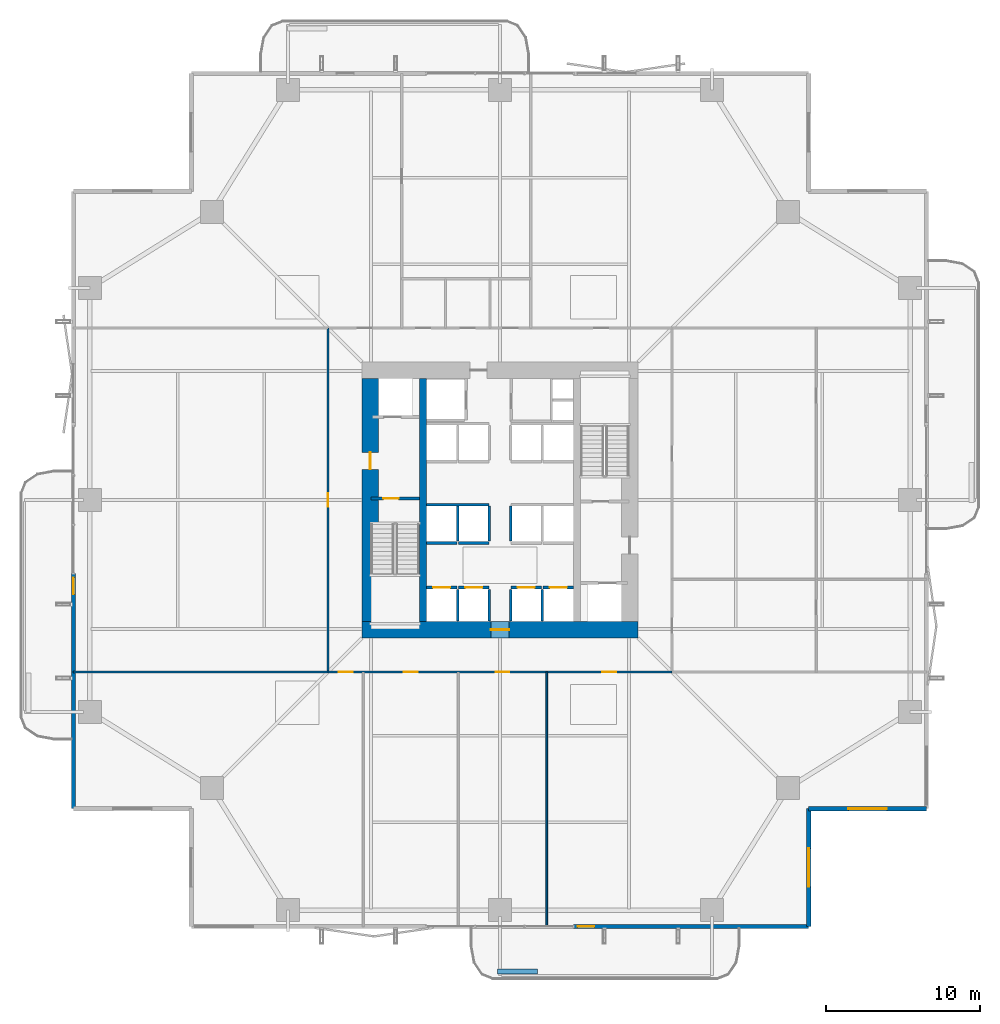
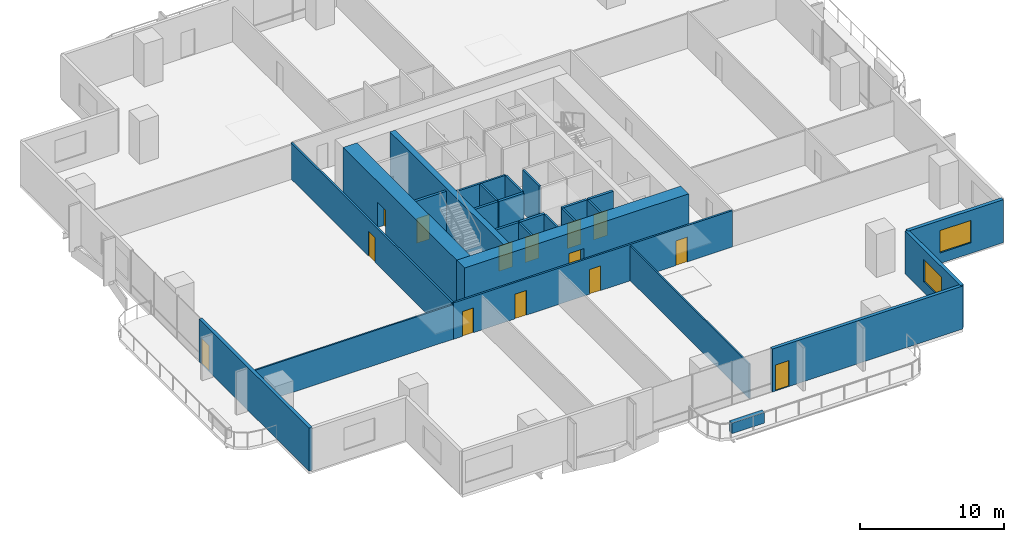
# One storey, part 17 of 24: 27 walls, 14 doors, 2 windows, 16 openings.
"""IFC4 building model written with IfcOpenShell, lengths in metres."""

from ifc_helpers import new_model, si_unit, direction, frame, frame_2d, origin, place, context, subcontext, project, spatial, rectangle, extrude, material, layer, layer_set, type_object, element, fill, save


model = new_model("IFC4")

# Units and contexts
model_context = context("Model", 3, precision=1e-05, world=origin(), true_north=direction((0.0, 1.0)))
body_context = subcontext(model_context, "Body", "Model", "MODEL_VIEW")
ifc_project = project(units=[si_unit("LENGTHUNIT", "METRE"), si_unit("AREAUNIT", "SQUARE_METRE"), si_unit("VOLUMEUNIT", "CUBIC_METRE"), si_unit("PLANEANGLEUNIT", "RADIAN"), si_unit("MASSUNIT", "GRAM", prefix="KILO")], contexts=[model_context])

# Site, building, storey
site_placement = place(None, origin())
site = spatial("IfcSite", under=ifc_project, at=site_placement, CompositionType="ELEMENT")
building_placement = place(site_placement, origin())
building = spatial("IfcBuilding", under=site, at=building_placement, Name="Belovzor Exchange Tower", CompositionType="ELEMENT")
storey_placement = place(building_placement, frame((0.0, 0.0, 96.300048828125)))
storey = spatial("IfcBuildingStorey", under=building, at=storey_placement, Name="L23", CompositionType="ELEMENT", Elevation=96.300048828125)

# Walls
ifc_material_1 = material(Name="Acoustic Plasterboard on Galvanised Studs", Category="gypsum")
ifc_layer_1 = layer(ifc_material_1, 0.1201171875)
ifc_layer_set_1 = layer_set([ifc_layer_1], Name="Acoustic Plasterboard on Galvanised Studs")
wall_type_1 = type_object("IfcWallType", Name="Acoustic Double-Stud Partition Wall 120", PredefinedType="PARTITIONING", material=ifc_layer_set_1)
for number, where, z_axis, x_axis, name in (
    (1, (31.844970703125, 1.030029296875, 0.0), (0.0, 0.0, 1.0), (0.0, 1.0, 0.0), "W-P120 Partition Wall W-L23-SDIV-3"),
    (2, (1.030029296875, 17.60009765625, 0.0), (0.0, 0.0, 1.0), (1.0, 0.0, 0.0), "W-P120 Partition Wall W-L23-END-SW"),
):
    element("IfcWall", number, at=place(storey_placement, frame(where, z_axis=z_axis, x_axis=x_axis)), inside=storey, type_object=wall_type_1, Name=name, PredefinedType="PARTITIONING", context=body_context, shape_type="SweptSolid", body=[
        extrude(rectangle(XDim=16.570068359375, YDim=0.1201171875, at=frame_2d((8.28515625, 0.0))), origin(), (0.0, 0.0, 1.0), 2.93505859375),
    ])

# Wall, openings, doors
ifc_material_2 = material(Name="Fire-Rated Gypsum Block and Mineral Wool", Category="gypsum")
ifc_layer_2 = layer(ifc_material_2, 0.14990234375)
ifc_layer_set_2 = layer_set([ifc_layer_2], Name="Fire-Rated Gypsum Block and Mineral Wool")
wall_type_2 = type_object("IfcWallType", Name="Fire-Rated Gypsum Block Corridor Wall 150", PredefinedType="PARTITIONING", material=ifc_layer_set_2)
wall_1_placement = place(storey_placement, frame((17.60009765625, 17.60009765625, 0.0), z_axis=(0.0, 0.0, 1.0), x_axis=(1.0, 0.0, 0.0)))
wall_1 = element("IfcWall", 3, at=wall_1_placement, inside=storey, type_object=wall_type_2, Name="W-P150 Partition Wall W-L23-CS", PredefinedType="PARTITIONING", context=body_context, shape_type="SweptSolid", body=[
    extrude(rectangle(XDim=22.39990234375, YDim=0.14990234375, at=frame_2d((11.199951171875, 0.0))), origin(), (0.0, 0.0, 1.0), 3.0849609375),
])
opening_1_placement = place(wall_1_placement, frame((0.699951171875, 0.0, 0.0)))
opening_1 = element("IfcOpeningElement", 4, at=opening_1_placement, cuts=wall_1, Name="Opening D-INT-090", PredefinedType="OPENING", context=body_context, shape_type="SweptSolid", body=[
    extrude(rectangle(XDim=0.89990234375, YDim=2.10009765625, at=frame_2d((0.449951171875, 1.050048828125))), frame((0.0, 0.0849609375, 0.0), z_axis=(0.0, -1.0, 0.0), x_axis=(1.0, 0.0, 0.0)), (0.0, 0.0, 1.0), 0.169921875),
])
opening_2_placement = place(wall_1_placement, frame((4.93994140625, 0.0, 0.0)))
opening_2 = element("IfcOpeningElement", 5, at=opening_2_placement, cuts=wall_1, Name="Opening D-INT-090", PredefinedType="OPENING", context=body_context, shape_type="SweptSolid", body=[
    extrude(rectangle(XDim=0.89990234375, YDim=2.10009765625, at=frame_2d((0.449951171875, 1.050048828125))), frame((0.0, 0.0849609375, 0.0), z_axis=(0.0, -1.0, 0.0), x_axis=(1.0, 0.0, 0.0)), (0.0, 0.0, 1.0), 0.169921875),
])
opening_3_placement = place(wall_1_placement, frame((10.912109375, 0.0, 0.0)))
opening_3 = element("IfcOpeningElement", 6, at=opening_3_placement, cuts=wall_1, Name="Opening D-INT-090", PredefinedType="OPENING", context=body_context, shape_type="SweptSolid", body=[
    extrude(rectangle(XDim=0.89990234375, YDim=2.10009765625, at=frame_2d((0.449951171875, 1.050048828125))), frame((0.0, 0.0849609375, 0.0), z_axis=(0.0, -1.0, 0.0), x_axis=(1.0, 0.0, 0.0)), (0.0, 0.0, 1.0), 0.169921875),
])
opening_4_placement = place(wall_1_placement, frame((17.8720703125, 0.0, 0.0)))
opening_4 = element("IfcOpeningElement", 7, at=opening_4_placement, cuts=wall_1, Name="Opening D-INT-090", PredefinedType="OPENING", context=body_context, shape_type="SweptSolid", body=[
    extrude(rectangle(XDim=0.89990234375, YDim=2.10009765625, at=frame_2d((0.449951171875, 1.050048828125))), frame((0.0, 0.0849609375, 0.0), z_axis=(0.0, -1.0, 0.0), x_axis=(1.0, 0.0, 0.0)), (0.0, 0.0, 1.0), 0.169921875),
])
ifc_material_3 = material(Name="Veneered Hardwood Acoustic Leaf", Category="wood")
door_type_1 = type_object("IfcDoorType", Name="Trading Suite Acoustic Single Door 900x2100", OperationType="NOTDEFINED", PredefinedType="DOOR", material=ifc_material_3)
door_1_placement = place(opening_1_placement, origin())
door_1 = element("IfcDoor", 8, at=door_1_placement, inside=storey, type_object=door_type_1, Name="D-INT-090 Trading Suite Acoustic Single Door 900x2100", OperationType="SINGLE_SWING_RIGHT", OverallHeight=2.10009765625, OverallWidth=0.89990234375, PredefinedType="DOOR", context=body_context, shape_type="SweptSolid", body=[
    extrude(rectangle(XDim=0.89990234375, YDim=2.10009765625, at=frame_2d((0.449951171875, 1.050048828125))), frame((0.0, 0.02490234375, 0.0), z_axis=(0.0, -1.0, 0.0), x_axis=(1.0, 0.0, 0.0)), (0.0, 0.0, 1.0), 0.050048828125),
])
fill(opening_1, door_1)
door_2_placement = place(opening_2_placement, origin())
door_2 = element("IfcDoor", 9, at=door_2_placement, inside=storey, type_object=door_type_1, Name="D-INT-090 Trading Suite Acoustic Single Door 900x2100", OperationType="SINGLE_SWING_LEFT", OverallHeight=2.10009765625, OverallWidth=0.89990234375, PredefinedType="DOOR", context=body_context, shape_type="SweptSolid", body=[
    extrude(rectangle(XDim=0.89990234375, YDim=2.10009765625, at=frame_2d((0.449951171875, 1.050048828125))), frame((0.0, 0.02490234375, 0.0), z_axis=(0.0, -1.0, 0.0), x_axis=(1.0, 0.0, 0.0)), (0.0, 0.0, 1.0), 0.050048828125),
])
fill(opening_2, door_2)
door_3_placement = place(opening_3_placement, origin())
door_3 = element("IfcDoor", 10, at=door_3_placement, inside=storey, type_object=door_type_1, Name="D-INT-090 Trading Suite Acoustic Single Door 900x2100", OperationType="SINGLE_SWING_RIGHT", OverallHeight=2.10009765625, OverallWidth=0.89990234375, PredefinedType="DOOR", context=body_context, shape_type="SweptSolid", body=[
    extrude(rectangle(XDim=0.89990234375, YDim=2.10009765625, at=frame_2d((0.449951171875, 1.050048828125))), frame((0.0, 0.02490234375, 0.0), z_axis=(0.0, -1.0, 0.0), x_axis=(1.0, 0.0, 0.0)), (0.0, 0.0, 1.0), 0.050048828125),
])
fill(opening_3, door_3)
door_4_placement = place(opening_4_placement, origin())
door_4 = element("IfcDoor", 11, at=door_4_placement, inside=storey, type_object=door_type_1, Name="D-INT-090 Trading Suite Acoustic Single Door 900x2100", OperationType="SINGLE_SWING_LEFT", OverallHeight=2.10009765625, OverallWidth=0.89990234375, PredefinedType="DOOR", context=body_context, shape_type="SweptSolid", body=[
    extrude(rectangle(XDim=0.89990234375, YDim=2.10009765625, at=frame_2d((0.449951171875, 1.050048828125))), frame((0.0, 0.02490234375, 0.0), z_axis=(0.0, -1.0, 0.0), x_axis=(1.0, 0.0, 0.0)), (0.0, 0.0, 1.0), 0.050048828125),
])
fill(opening_4, door_4)

# Wall, opening, door
wall_2_placement = place(storey_placement, frame((17.60009765625, 17.60009765625, 0.0), z_axis=(0.0, 0.0, 1.0), x_axis=(0.0, 1.0, 0.0)))
wall_2 = element("IfcWall", 12, at=wall_2_placement, inside=storey, type_object=wall_type_2, Name="W-P150 Partition Wall W-L23-CW", PredefinedType="PARTITIONING", context=body_context, shape_type="SweptSolid", body=[
    extrude(rectangle(XDim=22.39990234375, YDim=0.14990234375, at=frame_2d((11.199951171875, 0.0))), origin(), (0.0, 0.0, 1.0), 3.0849609375),
])
opening_5_placement = place(wall_2_placement, frame((10.75, 0.0, 0.0)))
opening_5 = element("IfcOpeningElement", 13, at=opening_5_placement, cuts=wall_2, Name="Opening D-INT-090", PredefinedType="OPENING", context=body_context, shape_type="SweptSolid", body=[
    extrude(rectangle(XDim=0.89990234375, YDim=2.10009765625, at=frame_2d((0.449951171875, 1.050048828125))), frame((0.0, 0.0849609375, 0.0), z_axis=(0.0, -1.0, 0.0), x_axis=(1.0, 0.0, 0.0)), (0.0, 0.0, 1.0), 0.169921875),
])
door_5_placement = place(opening_5_placement, origin())
door_5 = element("IfcDoor", 14, at=door_5_placement, inside=storey, type_object=door_type_1, Name="D-INT-090 Trading Suite Acoustic Single Door 900x2100", OperationType="SINGLE_SWING_RIGHT", OverallHeight=2.10009765625, OverallWidth=0.89990234375, PredefinedType="DOOR", context=body_context, shape_type="SweptSolid", body=[
    extrude(rectangle(XDim=0.89990234375, YDim=2.10009765625, at=frame_2d((0.449951171875, 1.050048828125))), frame((0.0, 0.02490234375, 0.0), z_axis=(0.0, -1.0, 0.0), x_axis=(1.0, 0.0, 0.0)), (0.0, 0.0, 1.0), 0.050048828125),
])
fill(opening_5, door_5)

# Wall, opening, window
ifc_material_4 = material(Name="Precast concrete C40/50", Category="concrete")
ifc_layer_3 = layer(ifc_material_4, 0.280029296875)
ifc_layer_set_3 = layer_set([ifc_layer_3], Name="Precast concrete C40/50")
wall_type_3 = type_object("IfcWallType", Name="Precast Concrete Notched Corner Frame Wall 280", PredefinedType="SOLIDWALL", material=ifc_layer_set_3)
wall_3_placement = place(storey_placement, frame((56.570068359375, 8.699951171875, 0.0), z_axis=(0.0, 0.0, 1.0), x_axis=(-1.0, 0.0, 0.0)))
wall_3 = element("IfcWall", 15, at=wall_3_placement, inside=storey, type_object=wall_type_3, Name="W-CRN280 Precast Concrete Notched Corner Frame Wall 280 L23", PredefinedType="SOLIDWALL", context=body_context, shape_type="SweptSolid", body=[
    extrude(rectangle(XDim=7.670166015625, YDim=0.280029296875, at=frame_2d((3.8349609375, 0.0))), origin(), (0.0, 0.0, 1.0), 3.64990234375),
])
opening_6_placement = place(wall_3_placement, frame((2.5849609375, 0.0, 0.89990234375)))
opening_6 = element("IfcOpeningElement", 16, at=opening_6_placement, cuts=wall_3, Name="Opening WN-CRN250", PredefinedType="OPENING", context=body_context, shape_type="SweptSolid", body=[
    extrude(rectangle(XDim=2.5, YDim=1.89990234375, at=frame_2d((1.25, 0.949951171875))), frame((0.0, 0.14990234375, 0.0), z_axis=(0.0, -1.0, 0.0), x_axis=(1.0, 0.0, 0.0)), (0.0, 0.0, 1.0), 0.300048828125),
])
ifc_material_5 = material(Name="Thermally Broken Aluminium and Triple Glazing", Category="aluminium")
window_type = type_object("IfcWindowType", Name="Streamline Moderne Corner Wrap Ribbon Window 2500x1900", PartitioningType="SINGLE_PANEL", PredefinedType="WINDOW", material=ifc_material_5)
window_1_placement = place(opening_6_placement, origin())
window_1 = element("IfcWindow", 17, at=window_1_placement, inside=storey, type_object=window_type, Name="WN-CRN250 Streamline Moderne Corner Wrap Ribbon Window 2500x1900", OverallHeight=1.89990234375, OverallWidth=2.5, PartitioningType="SINGLE_PANEL", PredefinedType="WINDOW", context=body_context, shape_type="SweptSolid", body=[
    extrude(rectangle(XDim=2.5, YDim=1.89990234375, at=frame_2d((1.25, 0.949951171875))), frame((0.0, 0.030029296875, 0.0), z_axis=(0.0, -1.0, 0.0), x_axis=(1.0, 0.0, 0.0)), (0.0, 0.0, 1.0), 0.06005859375),
])
fill(opening_6, window_1)

wall_4_placement = place(storey_placement, frame((48.89990234375, 8.699951171875, 0.0), z_axis=(0.0, 0.0, 1.0), x_axis=(0.0, -1.0, 0.0)))
wall_4 = element("IfcWall", 18, at=wall_4_placement, inside=storey, type_object=wall_type_3, Name="W-CRN280 Precast Concrete Notched Corner Frame Wall 280 L23", PredefinedType="SOLIDWALL", context=body_context, shape_type="SweptSolid", body=[
    extrude(rectangle(XDim=7.669921875, YDim=0.280029296875, at=frame_2d((3.8349609375, 0.0))), origin(), (0.0, 0.0, 1.0), 3.64990234375),
])
opening_7_placement = place(wall_4_placement, frame((2.5849609375, 0.0, 0.89990234375)))
opening_7 = element("IfcOpeningElement", 19, at=opening_7_placement, cuts=wall_4, Name="Opening WN-CRN250", PredefinedType="OPENING", context=body_context, shape_type="SweptSolid", body=[
    extrude(rectangle(XDim=2.5, YDim=1.89990234375, at=frame_2d((1.25, 0.949951171875))), frame((0.0, 0.14990234375, 0.0), z_axis=(0.0, -1.0, 0.0), x_axis=(1.0, 0.0, 0.0)), (0.0, 0.0, 1.0), 0.300048828125),
])
window_2_placement = place(opening_7_placement, origin())
window_2 = element("IfcWindow", 20, at=window_2_placement, inside=storey, type_object=window_type, Name="WN-CRN250 Streamline Moderne Corner Wrap Ribbon Window 2500x1900", OverallHeight=1.89990234375, OverallWidth=2.5, PartitioningType="SINGLE_PANEL", PredefinedType="WINDOW", context=body_context, shape_type="SweptSolid", body=[
    extrude(rectangle(XDim=2.5, YDim=1.89990234375, at=frame_2d((1.25, 0.949951171875))), frame((0.0, 0.030029296875, 0.0), z_axis=(0.0, -1.0, 0.0), x_axis=(1.0, 0.0, 0.0)), (0.0, 0.0, 1.0), 0.06005859375),
])
fill(opening_7, window_2)

# Wall, opening, door
ifc_material_6 = material(Name="Precast concrete C40/50", Category="concrete")
ifc_layer_4 = layer(ifc_material_6, 0.260009765625)
ifc_layer_set_4 = layer_set([ifc_layer_4], Name="Precast concrete C40/50")
wall_type_4 = type_object("IfcWallType", Name="Precast Concrete Perimeter Loggia Frame Wall 260", PredefinedType="SOLIDWALL", material=ifc_layer_set_4)
wall_5_placement = place(storey_placement, frame((48.89990234375, 1.030029296875, 0.0), z_axis=(0.0, 0.0, 1.0), x_axis=(-1.0, 0.0, 0.0)))
wall_5 = element("IfcWall", 21, at=wall_5_placement, inside=storey, type_object=wall_type_4, Name="W-EXT260 Precast Concrete Perimeter Loggia Frame Wall 260 L23", PredefinedType="SOLIDWALL", context=body_context, shape_type="SweptSolid", body=[
    extrude(rectangle(XDim=15.2998046875, YDim=0.260009765625, at=frame_2d((7.64990234375, 0.0))), origin(), (0.0, 0.0, 1.0), 3.64990234375),
])
opening_8_placement = place(wall_5_placement, frame((13.949951171875, 0.0, 0.0)))
opening_8 = element("IfcOpeningElement", 22, at=opening_8_placement, cuts=wall_5, Name="Opening D-BAL110", PredefinedType="OPENING", context=body_context, shape_type="SweptSolid", body=[
    extrude(rectangle(XDim=1.10009765625, YDim=2.199951171875, at=frame_2d((0.550048828125, 1.10009765625))), frame((0.0, 0.139892578125, 0.0), z_axis=(0.0, -1.0, 0.0), x_axis=(1.0, 0.0, 0.0)), (0.0, 0.0, 1.0), 0.280029296875),
])
ifc_material_7 = material(Name="Thermally Broken Anodised Aluminium and Laminated Glass", Category="aluminium")
door_type_2 = type_object("IfcDoorType", Name="Planted Loggia Terrace Glazed Door 1100x2200", OperationType="SINGLE_SWING_LEFT", PredefinedType="DOOR", material=ifc_material_7)
door_6_placement = place(opening_8_placement, origin())
door_6 = element("IfcDoor", 23, at=door_6_placement, inside=storey, type_object=door_type_2, Name="D-BAL110 Balcony Terrace Door L23 S", OperationType="SINGLE_SWING_LEFT", OverallHeight=2.199951171875, OverallWidth=1.10009765625, PredefinedType="DOOR", context=body_context, shape_type="SweptSolid", body=[
    extrude(rectangle(XDim=1.10009765625, YDim=2.199951171875, at=frame_2d((0.550048828125, 1.10009765625))), frame((0.0, 0.02490234375, 0.0), z_axis=(0.0, -1.0, 0.0), x_axis=(1.0, 0.0, 0.0)), (0.0, 0.0, 1.0), 0.050048828125),
])
fill(opening_8, door_6)

wall_6_placement = place(storey_placement, frame((1.030029296875, 8.699951171875, 0.0), z_axis=(0.0, 0.0, 1.0), x_axis=(0.0, 1.0, 0.0)))
wall_6 = element("IfcWall", 24, at=wall_6_placement, inside=storey, type_object=wall_type_4, Name="W-EXT260 Precast Concrete Perimeter Loggia Frame Wall 260 L23", PredefinedType="SOLIDWALL", context=body_context, shape_type="SweptSolid", body=[
    extrude(rectangle(XDim=15.300048828125, YDim=0.260009765625, at=frame_2d((7.64990234375, 0.0))), origin(), (0.0, 0.0, 1.0), 3.64990234375),
])
opening_9_placement = place(wall_6_placement, frame((13.949951171875, 0.0, 0.0)))
opening_9 = element("IfcOpeningElement", 25, at=opening_9_placement, cuts=wall_6, Name="Opening D-BAL110", PredefinedType="OPENING", context=body_context, shape_type="SweptSolid", body=[
    extrude(rectangle(XDim=1.10009765625, YDim=2.199951171875, at=frame_2d((0.550048828125, 1.10009765625))), frame((0.0, 0.139892578125, 0.0), z_axis=(0.0, -1.0, 0.0), x_axis=(1.0, 0.0, 0.0)), (0.0, 0.0, 1.0), 0.280029296875),
])
door_7_placement = place(opening_9_placement, origin())
door_7 = element("IfcDoor", 26, at=door_7_placement, inside=storey, type_object=door_type_2, Name="D-BAL110 Balcony Terrace Door L23 W", OperationType="SINGLE_SWING_RIGHT", OverallHeight=2.199951171875, OverallWidth=1.10009765625, PredefinedType="DOOR", context=body_context, shape_type="SweptSolid", body=[
    extrude(rectangle(XDim=1.10009765625, YDim=2.199951171875, at=frame_2d((0.550048828125, 1.10009765625))), frame((0.0, 0.02490234375, 0.0), z_axis=(0.0, -1.0, 0.0), x_axis=(1.0, 0.0, 0.0)), (0.0, 0.0, 1.0), 0.050048828125),
])
fill(opening_9, door_7)

# Walls
ifc_material_8 = material(Name="Precast concrete C40/50", Category="concrete")
ifc_layer_5 = layer(ifc_material_8, 0.35009765625)
ifc_layer_set_5 = layer_set([ifc_layer_5], Name="Precast concrete C40/50")
wall_type_5 = type_object("IfcWallType", Name="Precast Concrete Structural Tree Planter Trough 350", PredefinedType="PARAPET", material=ifc_layer_set_5)
wall_7_placement = place(storey_placement, frame((28.64990234375, -1.89990234375, 0.0), z_axis=(0.0, 0.0, 1.0), x_axis=(1.0, 0.0, 0.0)))
element("IfcWall", 27, at=wall_7_placement, inside=storey, type_object=wall_type_5, Name="PT-350 Precast Concrete Structural Tree Planter Trough 350 L23", PredefinedType="PARAPET", context=body_context, shape_type="SweptSolid", body=[
    extrude(rectangle(XDim=2.60009765625, YDim=0.35009765625, at=frame_2d((1.300048828125, 0.0))), origin(), (0.0, 0.0, 1.0), 0.89990234375),
])
ifc_material_9 = material(Name="Concrete C50/60", Category="concrete")
ifc_layer_6 = layer(ifc_material_9, 0.449951171875)
ifc_layer_set_6 = layer_set([ifc_layer_6], Name="Concrete C50/60")
wall_type_6 = type_object("IfcWallType", Name="Reinforced Concrete Core Internal Web Wall 450", PredefinedType="SHEAR", material=ifc_layer_set_6)
wall_8_placement = place(storey_placement, frame((23.77490234375, 20.89990234375, 0.0), z_axis=(0.0, 0.0, 1.0), x_axis=(0.0, 1.0, 0.0)))
element("IfcWall", 28, at=wall_8_placement, inside=storey, type_object=wall_type_6, Name="CW-W045 Core Internal Web Wall L23 WL", PredefinedType="SHEAR", context=body_context, shape_type="SweptSolid", body=[
    extrude(rectangle(XDim=15.800048828125, YDim=0.449951171875, at=frame_2d((7.89990234375, 0.0))), origin(), (0.0, 0.0, 1.0), 3.89990234375),
])
ifc_material_10 = material(Name="Concrete C50/60", Category="concrete")
ifc_layer_7 = layer(ifc_material_10, 0.14990234375)
ifc_layer_set_7 = layer_set([ifc_layer_7], Name="Concrete C50/60")
wall_type_7 = type_object("IfcWallType", Name="Reinforced Concrete Core Riser Shear Wall 150", PredefinedType="SHEAR", material=ifc_layer_set_7)
for number, where, z_axis, x_axis, name in (
    (29, (26.050048828125, 20.919921875, 0.0), (0.0, 0.0, 1.0), (0.0, 1.0, 0.0), "W-C150S Core Shaft Wall W-SHD-L23-PLL-1"),
    (30, (28.10009765625, 20.919921875, 0.0), (0.0, 0.0, 1.0), (0.0, 1.0, 0.0), "W-C150S Core Shaft Wall W-SHD-L23-PLL-2"),
    (31, (29.5, 20.919921875, 0.0), (0.0, 0.0, 1.0), (0.0, 1.0, 0.0), "W-C150S Core Shaft Wall W-SHD-L23-PLL-3"),
    (32, (31.550048828125, 20.919921875, 0.0), (0.0, 0.0, 1.0), (0.0, 1.0, 0.0), "W-C150S Core Shaft Wall W-SHD-L23-PLL-4"),
):
    element("IfcWall", number, at=place(storey_placement, frame(where, z_axis=z_axis, x_axis=x_axis)), inside=storey, type_object=wall_type_7, Name=name, PredefinedType="SHEAR", context=body_context, shape_type="SweptSolid", body=[
        extrude(rectangle(XDim=2.06005859375, YDim=0.14990234375, at=frame_2d((1.030029296875, 0.0))), origin(), (0.0, 0.0, 1.0), 3.64990234375),
    ])
wall_9_placement = place(storey_placement, frame((24.02001953125, 28.5, 0.0), z_axis=(0.0, 0.0, 1.0), x_axis=(1.0, 0.0, 0.0)))
element("IfcWall", 33, at=wall_9_placement, inside=storey, type_object=wall_type_7, Name="W-C150S Core Shaft Wall W-SHB-L23-PLM-NW", PredefinedType="SHEAR", context=body_context, shape_type="SweptSolid", body=[
    extrude(rectangle(XDim=4.080078125, YDim=0.14990234375, at=frame_2d((2.0400390625, 0.0))), origin(), (0.0, 0.0, 1.0), 3.64990234375),
])
for number, where, z_axis, x_axis, name in (
    (34, (26.050048828125, 26.1201171875, 0.0), (0.0, 0.0, 1.0), (0.0, 1.0, 0.0), "W-C150S Core Shaft Wall W-SHD-L23-PLM-1"),
    (35, (28.10009765625, 26.1201171875, 0.0), (0.0, 0.0, 1.0), (0.0, 1.0, 0.0), "W-C150S Core Shaft Wall W-SHD-L23-PLM-2"),
    (36, (29.5, 26.1201171875, 0.0), (0.0, 0.0, 1.0), (0.0, 1.0, 0.0), "W-C150S Core Shaft Wall W-SHD-L23-PLM-3"),
):
    element("IfcWall", number, at=place(storey_placement, frame(where, z_axis=z_axis, x_axis=x_axis)), inside=storey, type_object=wall_type_7, Name=name, PredefinedType="SHEAR", context=body_context, shape_type="SweptSolid", body=[
        extrude(rectangle(XDim=2.27978515625, YDim=0.14990234375, at=frame_2d((1.139892578125, 0.0))), origin(), (0.0, 0.0, 1.0), 3.64990234375),
    ])

# Wall, opening, door
ifc_material_11 = material(Name="Concrete C50/60", Category="concrete")
ifc_layer_8 = layer(ifc_material_11, 0.199951171875)
ifc_layer_set_8 = layer_set([ifc_layer_8], Name="Concrete C50/60")
wall_type_8 = type_object("IfcWallType", Name="Reinforced Concrete Core Shaft Shear Wall 200", PredefinedType="SHEAR", material=ifc_layer_set_8)
wall_10_placement = place(storey_placement, frame((20.39990234375, 28.89990234375, 0.0), z_axis=(0.0, 0.0, 1.0), x_axis=(1.0, 0.0, 0.0)))
wall_10 = element("IfcWall", 37, at=wall_10_placement, inside=storey, type_object=wall_type_8, Name="W-C200S Core Shaft Wall W-CORE-L23-FFLW1", PredefinedType="SHEAR", context=body_context, shape_type="SweptSolid", body=[
    extrude(rectangle(XDim=3.150146484375, YDim=0.199951171875, at=frame_2d((1.5751953125, 0.0))), origin(), (0.0, 0.0, 1.0), 3.64990234375),
])
opening_10_placement = place(wall_10_placement, frame((0.800048828125, 0.0, 0.0)))
opening_10 = element("IfcOpeningElement", 38, at=opening_10_placement, cuts=wall_10, Name="Opening D-FD90-100", PredefinedType="OPENING", context=body_context, shape_type="SweptSolid", body=[
    extrude(rectangle(XDim=1.0, YDim=2.10009765625, at=frame_2d((0.5, 1.050048828125))), frame((0.0, 0.10986328125, 0.0), z_axis=(0.0, -1.0, 0.0), x_axis=(1.0, 0.0, 0.0)), (0.0, 0.0, 1.0), 0.219970703125),
])
ifc_material_12 = material(Name="Fire-Rated Galvanised Steel Leaf", Category="steel")
door_type_3 = type_object("IfcDoorType", Name="Protected Stairwell Single Fire Door 1000x2100", OperationType="NOTDEFINED", PredefinedType="DOOR", material=ifc_material_12)
door_8_placement = place(opening_10_placement, origin())
door_8 = element("IfcDoor", 39, at=door_8_placement, inside=storey, type_object=door_type_3, Name="D-FD90-100 Protected Stairwell Single Fire Door 1000x2100", OperationType="SINGLE_SWING_RIGHT", OverallHeight=2.10009765625, OverallWidth=1.0, PredefinedType="DOOR", context=body_context, shape_type="SweptSolid", body=[
    extrude(rectangle(XDim=1.0, YDim=2.10009765625, at=frame_2d((0.5, 1.050048828125))), frame((0.0, 0.02490234375, 0.0), z_axis=(0.0, -1.0, 0.0), x_axis=(1.0, 0.0, 0.0)), (0.0, 0.0, 1.0), 0.050048828125),
])
fill(opening_10, door_8)

wall_11_placement = place(storey_placement, frame((24.0, 23.10009765625, 0.0), z_axis=(0.0, 0.0, 1.0), x_axis=(1.0, 0.0, 0.0)))
wall_11 = element("IfcWall", 40, at=wall_11_placement, inside=storey, type_object=wall_type_8, Name="W-C200S Core Shaft Wall W-SH-L23-PL-L1", PredefinedType="SHEAR", context=body_context, shape_type="SweptSolid", body=[
    extrude(rectangle(XDim=2.0, YDim=0.199951171875, at=frame_2d((1.0, 0.0))), origin(), (0.0, 0.0, 1.0), 3.64990234375),
])
opening_11_placement = place(wall_11_placement, frame((0.449951171875, 0.0, 0.0)))
opening_11 = element("IfcOpeningElement", 41, at=opening_11_placement, cuts=wall_11, Name="Opening LD-110", PredefinedType="OPENING", context=body_context, shape_type="SweptSolid", body=[
    extrude(rectangle(XDim=1.10009765625, YDim=2.14990234375, at=frame_2d((0.550048828125, 1.074951171875))), frame((0.0, 0.10986328125, 0.0), z_axis=(0.0, -1.0, 0.0), x_axis=(1.0, 0.0, 0.0)), (0.0, 0.0, 1.0), 0.219970703125),
])
ifc_material_13 = material(Name="Stainless Steel Grade 304", Category="steel")
door_type_4 = type_object("IfcDoorType", Name="Automated Stainless Steel Lift Landing Door 1100x2150", OperationType="SLIDING_TO_RIGHT", PredefinedType="DOOR", material=ifc_material_13)
door_9_placement = place(opening_11_placement, origin())
door_9 = element("IfcDoor", 42, at=door_9_placement, inside=storey, type_object=door_type_4, Name="LD-110 Automated Stainless Steel Lift Landing Door 1100x2150", OperationType="SLIDING_TO_RIGHT", OverallHeight=2.14990234375, OverallWidth=1.10009765625, PredefinedType="DOOR", context=body_context, shape_type="SweptSolid", body=[
    extrude(rectangle(XDim=1.10009765625, YDim=2.14990234375, at=frame_2d((0.550048828125, 1.074951171875))), frame((0.0, 0.02490234375, 0.0), z_axis=(0.0, -1.0, 0.0), x_axis=(1.0, 0.0, 0.0)), (0.0, 0.0, 1.0), 0.050048828125),
])
fill(opening_11, door_9)

wall_12_placement = place(storey_placement, frame((26.10009765625, 23.10009765625, 0.0), z_axis=(0.0, 0.0, 1.0), x_axis=(1.0, 0.0, 0.0)))
wall_12 = element("IfcWall", 43, at=wall_12_placement, inside=storey, type_object=wall_type_8, Name="W-C200S Core Shaft Wall W-SH-L23-PL-L2", PredefinedType="SHEAR", context=body_context, shape_type="SweptSolid", body=[
    extrude(rectangle(XDim=2.0, YDim=0.199951171875, at=frame_2d((1.0, 0.0))), origin(), (0.0, 0.0, 1.0), 3.64990234375),
])
opening_12_placement = place(wall_12_placement, frame((0.449951171875, 0.0, 0.0)))
opening_12 = element("IfcOpeningElement", 44, at=opening_12_placement, cuts=wall_12, Name="Opening LD-110", PredefinedType="OPENING", context=body_context, shape_type="SweptSolid", body=[
    extrude(rectangle(XDim=1.10009765625, YDim=2.14990234375, at=frame_2d((0.550048828125, 1.074951171875))), frame((0.0, 0.10986328125, 0.0), z_axis=(0.0, -1.0, 0.0), x_axis=(1.0, 0.0, 0.0)), (0.0, 0.0, 1.0), 0.219970703125),
])
door_10_placement = place(opening_12_placement, origin())
door_10 = element("IfcDoor", 45, at=door_10_placement, inside=storey, type_object=door_type_4, Name="LD-110 Automated Stainless Steel Lift Landing Door 1100x2150", OperationType="SLIDING_TO_RIGHT", OverallHeight=2.14990234375, OverallWidth=1.10009765625, PredefinedType="DOOR", context=body_context, shape_type="SweptSolid", body=[
    extrude(rectangle(XDim=1.10009765625, YDim=2.14990234375, at=frame_2d((0.550048828125, 1.074951171875))), frame((0.0, 0.02490234375, 0.0), z_axis=(0.0, -1.0, 0.0), x_axis=(1.0, 0.0, 0.0)), (0.0, 0.0, 1.0), 0.050048828125),
])
fill(opening_12, door_10)

wall_13_placement = place(storey_placement, frame((29.5, 23.10009765625, 0.0), z_axis=(0.0, 0.0, 1.0), x_axis=(1.0, 0.0, 0.0)))
wall_13 = element("IfcWall", 46, at=wall_13_placement, inside=storey, type_object=wall_type_8, Name="W-C200S Core Shaft Wall W-SH-L23-PL-L3", PredefinedType="SHEAR", context=body_context, shape_type="SweptSolid", body=[
    extrude(rectangle(XDim=2.0, YDim=0.199951171875, at=frame_2d((1.0, 0.0))), origin(), (0.0, 0.0, 1.0), 3.64990234375),
])
opening_13_placement = place(wall_13_placement, frame((0.449951171875, 0.0, 0.0)))
opening_13 = element("IfcOpeningElement", 47, at=opening_13_placement, cuts=wall_13, Name="Opening LD-110", PredefinedType="OPENING", context=body_context, shape_type="SweptSolid", body=[
    extrude(rectangle(XDim=1.10009765625, YDim=2.14990234375, at=frame_2d((0.550048828125, 1.074951171875))), frame((0.0, 0.10986328125, 0.0), z_axis=(0.0, -1.0, 0.0), x_axis=(1.0, 0.0, 0.0)), (0.0, 0.0, 1.0), 0.219970703125),
])
door_11_placement = place(opening_13_placement, origin())
door_11 = element("IfcDoor", 48, at=door_11_placement, inside=storey, type_object=door_type_4, Name="LD-110 Automated Stainless Steel Lift Landing Door 1100x2150", OperationType="SLIDING_TO_RIGHT", OverallHeight=2.14990234375, OverallWidth=1.10009765625, PredefinedType="DOOR", context=body_context, shape_type="SweptSolid", body=[
    extrude(rectangle(XDim=1.10009765625, YDim=2.14990234375, at=frame_2d((0.550048828125, 1.074951171875))), frame((0.0, 0.02490234375, 0.0), z_axis=(0.0, -1.0, 0.0), x_axis=(1.0, 0.0, 0.0)), (0.0, 0.0, 1.0), 0.050048828125),
])
fill(opening_13, door_11)

wall_14_placement = place(storey_placement, frame((31.60009765625, 23.10009765625, 0.0), z_axis=(0.0, 0.0, 1.0), x_axis=(1.0, 0.0, 0.0)))
wall_14 = element("IfcWall", 49, at=wall_14_placement, inside=storey, type_object=wall_type_8, Name="W-C200S Core Shaft Wall W-SH-L23-PL-L4", PredefinedType="SHEAR", context=body_context, shape_type="SweptSolid", body=[
    extrude(rectangle(XDim=2.0, YDim=0.199951171875, at=frame_2d((1.0, 0.0))), origin(), (0.0, 0.0, 1.0), 3.64990234375),
])
opening_14_placement = place(wall_14_placement, frame((0.449951171875, 0.0, 0.0)))
opening_14 = element("IfcOpeningElement", 50, at=opening_14_placement, cuts=wall_14, Name="Opening LD-110", PredefinedType="OPENING", context=body_context, shape_type="SweptSolid", body=[
    extrude(rectangle(XDim=1.10009765625, YDim=2.14990234375, at=frame_2d((0.550048828125, 1.074951171875))), frame((0.0, 0.10986328125, 0.0), z_axis=(0.0, -1.0, 0.0), x_axis=(1.0, 0.0, 0.0)), (0.0, 0.0, 1.0), 0.219970703125),
])
door_12_placement = place(opening_14_placement, origin())
door_12 = element("IfcDoor", 51, at=door_12_placement, inside=storey, type_object=door_type_4, Name="LD-110 Automated Stainless Steel Lift Landing Door 1100x2150", OperationType="SLIDING_TO_RIGHT", OverallHeight=2.14990234375, OverallWidth=1.10009765625, PredefinedType="DOOR", context=body_context, shape_type="SweptSolid", body=[
    extrude(rectangle(XDim=1.10009765625, YDim=2.14990234375, at=frame_2d((0.550048828125, 1.074951171875))), frame((0.0, 0.02490234375, 0.0), z_axis=(0.0, -1.0, 0.0), x_axis=(1.0, 0.0, 0.0)), (0.0, 0.0, 1.0), 0.050048828125),
])
fill(opening_14, door_12)

# Walls
for number, where, z_axis, x_axis, name in (
    (52, (24.0, 26.0, 0.0), (0.0, 0.0, 1.0), (1.0, 0.0, 0.0), "W-C200S Core Shaft Wall W-SH-L23-PL-M1"),
    (53, (26.10009765625, 26.0, 0.0), (0.0, 0.0, 1.0), (1.0, 0.0, 0.0), "W-C200S Core Shaft Wall W-SH-L23-PL-M2"),
):
    element("IfcWall", number, at=place(storey_placement, frame(where, z_axis=z_axis, x_axis=x_axis)), inside=storey, type_object=wall_type_8, Name=name, PredefinedType="SHEAR", context=body_context, shape_type="SweptSolid", body=[
        extrude(rectangle(XDim=2.0, YDim=0.199951171875, at=frame_2d((1.0, 0.0))), origin(), (0.0, 0.0, 1.0), 3.64990234375),
    ])

# Wall, opening, door
ifc_material_14 = material(Name="Concrete C60/75", Category="concrete")
ifc_layer_9 = layer(ifc_material_14, 1.10009765625)
ifc_layer_set_9 = layer_set([ifc_layer_9], Name="Concrete C60/75")
wall_type_9 = type_object("IfcWallType", Name="Reinforced Concrete Core Shear Wall 1100", PredefinedType="SHEAR", material=ifc_layer_set_9)
wall_15_placement = place(storey_placement, frame((19.800048828125, 20.35009765625, 0.0), z_axis=(0.0, 0.0, 1.0), x_axis=(1.0, 0.0, 0.0)))
wall_15 = element("IfcWall", 54, at=wall_15_placement, inside=storey, type_object=wall_type_9, Name="CW-S110 Core Shear Wall L23 S", PredefinedType="SHEAR", context=body_context, shape_type="SweptSolid", body=[
    extrude(rectangle(XDim=18.0, YDim=1.10009765625, at=frame_2d((9.0, 0.0))), origin(), (0.0, 0.0, 1.0), 3.89990234375),
])
opening_15_placement = place(wall_15_placement, frame((8.39990234375, 0.0, 0.0)))
opening_15 = element("IfcOpeningElement", 55, at=opening_15_placement, cuts=wall_15, Name="Opening D-FD90-120", PredefinedType="OPENING", context=body_context, shape_type="SweptSolid", body=[
    extrude(rectangle(XDim=1.199951171875, YDim=2.199951171875, at=frame_2d((0.60009765625, 1.10009765625))), frame((0.0, 0.56005859375, 0.0), z_axis=(0.0, -1.0, 0.0), x_axis=(1.0, 0.0, 0.0)), (0.0, 0.0, 1.0), 1.1201171875),
])
ifc_material_15 = material(Name="Fire-Rated Galvanised Steel Leaf", Category="steel")
door_type_5 = type_object("IfcDoorType", Name="Heavy Plant & Foyer Fire Door 1200x2200", OperationType="NOTDEFINED", PredefinedType="DOOR", material=ifc_material_15)
door_13_placement = place(opening_15_placement, origin())
door_13 = element("IfcDoor", 56, at=door_13_placement, inside=storey, type_object=door_type_5, Name="D-FD90-120 Heavy Plant & Foyer Fire Door 1200x2200", OperationType="SINGLE_SWING_LEFT", OverallHeight=2.199951171875, OverallWidth=1.199951171875, PredefinedType="DOOR", context=body_context, shape_type="SweptSolid", body=[
    extrude(rectangle(XDim=1.199951171875, YDim=2.199951171875, at=frame_2d((0.60009765625, 1.10009765625))), frame((0.0, 0.02490234375, 0.0), z_axis=(0.0, -1.0, 0.0), x_axis=(1.0, 0.0, 0.0)), (0.0, 0.0, 1.0), 0.050048828125),
])
fill(opening_15, door_13)

wall_16_placement = place(storey_placement, frame((20.35009765625, 20.89990234375, 0.0), z_axis=(0.0, 0.0, 1.0), x_axis=(0.0, 1.0, 0.0)))
wall_16 = element("IfcWall", 57, at=wall_16_placement, inside=storey, type_object=wall_type_9, Name="CW-S110 Core Shear Wall L23 W", PredefinedType="SHEAR", context=body_context, shape_type="SweptSolid", body=[
    extrude(rectangle(XDim=15.800048828125, YDim=1.10009765625, at=frame_2d((7.89990234375, 0.0))), origin(), (0.0, 0.0, 1.0), 3.89990234375),
])
opening_16_placement = place(wall_16_placement, frame((9.89990234375, 0.0, 0.0)))
opening_16 = element("IfcOpeningElement", 58, at=opening_16_placement, cuts=wall_16, Name="Opening D-FD90-110", PredefinedType="OPENING", context=body_context, shape_type="SweptSolid", body=[
    extrude(rectangle(XDim=1.10009765625, YDim=2.14990234375, at=frame_2d((0.550048828125, 1.074951171875))), frame((0.0, 0.56005859375, 0.0), z_axis=(0.0, -1.0, 0.0), x_axis=(1.0, 0.0, 0.0)), (0.0, 0.0, 1.0), 1.1201171875),
])
ifc_material_16 = material(Name="Fire-Rated Galvanised Steel Leaf", Category="steel")
door_type_6 = type_object("IfcDoorType", Name="Protected Escape Vestibule Fire Door 1100x2150", OperationType="NOTDEFINED", PredefinedType="DOOR", material=ifc_material_16)
door_14_placement = place(opening_16_placement, origin())
door_14 = element("IfcDoor", 59, at=door_14_placement, inside=storey, type_object=door_type_6, Name="D-FD90-110 Protected Escape Vestibule Fire Door 1100x2150", OperationType="SINGLE_SWING_LEFT", OverallHeight=2.14990234375, OverallWidth=1.10009765625, PredefinedType="DOOR", context=body_context, shape_type="SweptSolid", body=[
    extrude(rectangle(XDim=1.10009765625, YDim=2.14990234375, at=frame_2d((0.550048828125, 1.074951171875))), frame((0.0, 0.02490234375, 0.0), z_axis=(0.0, -1.0, 0.0), x_axis=(1.0, 0.0, 0.0)), (0.0, 0.0, 1.0), 0.050048828125),
])
fill(opening_16, door_14)

save(model, "model.ifc")
